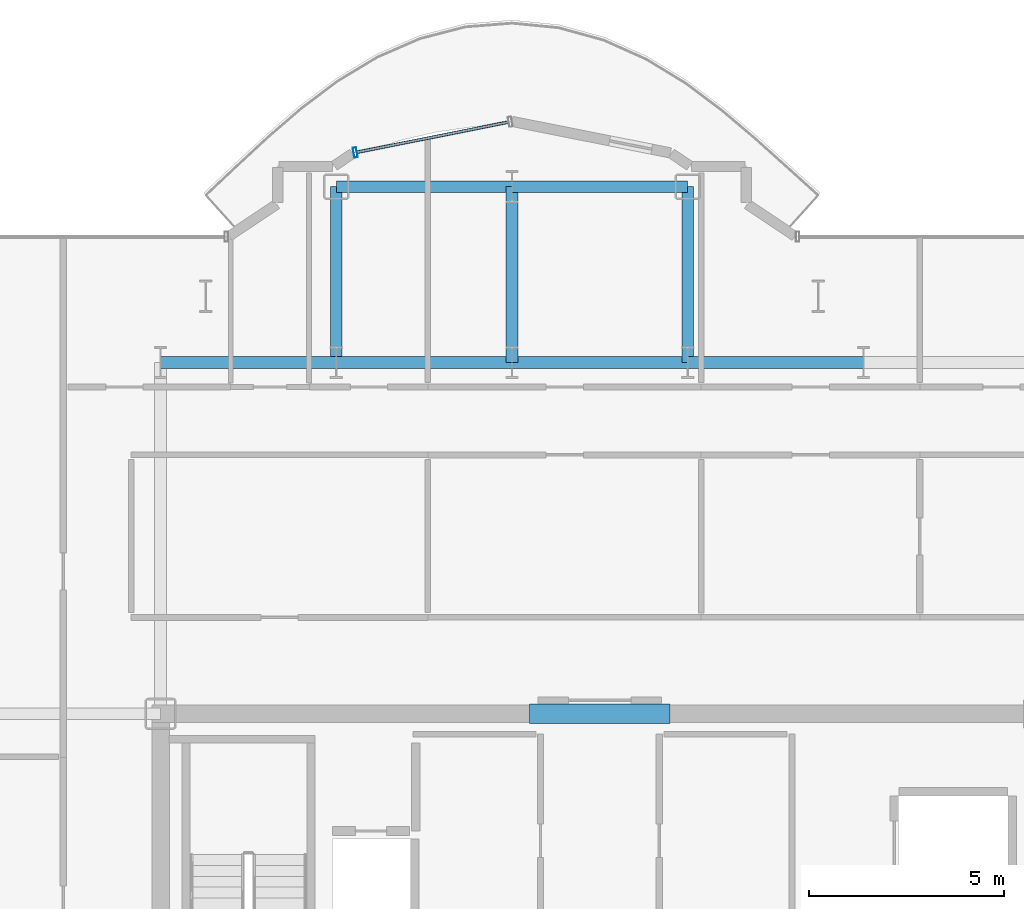
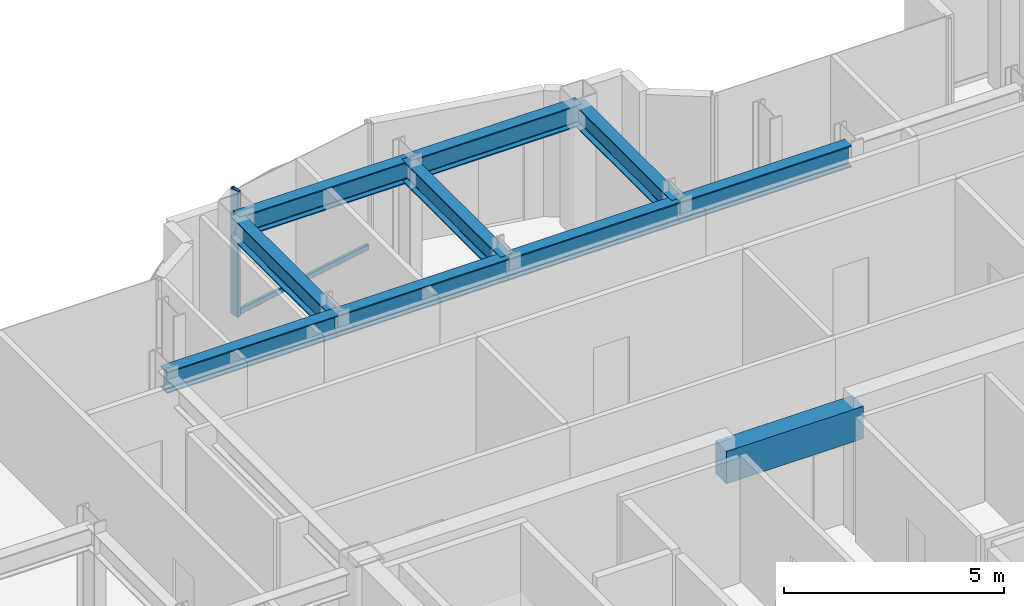
# One storey, part 9 of 21: 10 beams, 2 members, 1 element without a shape of its own.
"""IFC4 building model written with IfcOpenShell, lengths in metres."""

import ifcopenshell
import ifcopenshell.guid

model = None  # the IFC model being written
_history = None  # IfcOwnerHistory: only IFC2X3 demands one
_inside = {}  # id of a spatial element -> (the spatial element, [elements in it])
_under = {}  # id of a project, library or spatial element -> (it, [spatial elements below it])
_declared = {}  # id of a project -> (the project, [libraries it declares])
_typed = {}  # id of a type object -> (the type object, [elements of that type])
_made_of = {}  # id of a material, layer set ... -> (it, [elements and type objects made of it])


def new_model(schema):
    """Start an empty IFC model of exactly this schema.

    Asked for "IFC4X3", IfcOpenShell would pick the latest addendum, in which some entities
    have other attributes; the version numbers below select the first issue.
    IFC2X3 requires an IfcOwnerHistory on every rooted entity: one is made here for all.
    """
    global model, _history
    if schema == "IFC4X3":
        model = ifcopenshell.file(schema_version=(4, 3, 0, 0))
    else:
        model = ifcopenshell.file(schema=schema)
    _inside.clear()
    _under.clear()
    _declared.clear()
    _typed.clear()
    _made_of.clear()
    _history = None
    if model.schema == "IFC2X3":
        org = make("IfcOrganization", Name="unknown")
        user = make(
            "IfcPersonAndOrganization",
            ThePerson=make("IfcPerson", FamilyName="unknown"),
            TheOrganization=org,
        )
        app = make(
            "IfcApplication",
            ApplicationDeveloper=org,
            Version="unknown",
            ApplicationFullName="unknown",
            ApplicationIdentifier="unknown",
        )
        _history = make(
            "IfcOwnerHistory",
            OwningUser=user,
            OwningApplication=app,
            ChangeAction="ADDED",
            CreationDate=0,
        )
    return model


def make(cls, **values):
    """One entity of the class cls with the attributes given. An attribute that is None is left unset."""
    return model.create_entity(
        cls, **{name: value for name, value in values.items() if value is not None}
    )


def rooted(cls, **values):
    """An entity with a GlobalId (a new one), such as an element, a storey or a relation."""
    return make(cls, GlobalId=ifcopenshell.guid.new(), OwnerHistory=_history, **values)


def si_unit(unit_type, name, prefix=None):
    """IfcSIUnit, for example si_unit("LENGTHUNIT", "METRE", prefix="MILLI")."""
    return make("IfcSIUnit", UnitType=unit_type, Prefix=prefix, Name=name)


def assignment(units):
    """IfcUnitAssignment: the units of a project."""
    return None if units is None else make("IfcUnitAssignment", Units=units)


def point(xyz):
    """IfcCartesianPoint."""
    return None if xyz is None else make("IfcCartesianPoint", Coordinates=xyz)


def direction(xyz):
    """IfcDirection."""
    return None if xyz is None else make("IfcDirection", DirectionRatios=xyz)


def frame(location, z_axis=None, x_axis=None):
    """IfcAxis2Placement3D, a coordinate frame: its origin and axes. An axis left out is left unset."""
    return make(
        "IfcAxis2Placement3D",
        Location=point(location),
        Axis=direction(z_axis),
        RefDirection=direction(x_axis),
    )


def frame_2d(location, x_axis=None):
    """IfcAxis2Placement2D, a coordinate frame in the plane: its origin and x axis."""
    return make(
        "IfcAxis2Placement2D", Location=point(location), RefDirection=direction(x_axis)
    )


def origin():
    """The frame at (0, 0, 0) with its axes left unset."""
    return frame((0.0, 0.0, 0.0))


def origin_2d():
    """The frame at (0, 0) in the plane with its x axis left unset."""
    return frame_2d((0.0, 0.0))


def place(relative_to, where):
    """IfcLocalPlacement: puts the frame where relative to a parent placement (None: the world)."""
    return make(
        "IfcLocalPlacement", PlacementRelTo=relative_to, RelativePlacement=where
    )


def context(
    kind, dimensions, precision=None, world=None, true_north=None, identifier=None
):
    """IfcGeometricRepresentationContext, for example the 3D "Model" context."""
    return make(
        "IfcGeometricRepresentationContext",
        ContextIdentifier=identifier,
        ContextType=kind,
        CoordinateSpaceDimension=dimensions,
        Precision=precision,
        WorldCoordinateSystem=world,
        TrueNorth=true_north,
    )


def subcontext(parent, identifier, kind, view, scale=None):
    """IfcGeometricRepresentationSubContext, for example "Body" below "Model"."""
    return make(
        "IfcGeometricRepresentationSubContext",
        ContextIdentifier=identifier,
        ContextType=kind,
        ParentContext=parent,
        TargetScale=scale,
        TargetView=view,
    )


def project(units=None, contexts=None):
    """IfcProject with its units and contexts."""
    return rooted(
        "IfcProject",
        Name="project",
        RepresentationContexts=contexts,
        UnitsInContext=assignment(units),
    )


def spatial(cls, under=None, at=None, **own):
    """A site, building, storey or space (cls), placed at a placement, below another one or the project."""
    s = rooted(cls, ObjectPlacement=at, **own)
    if under is not None:
        _under.setdefault(under.id(), (under, []))[1].append(s)
    return s


def profile(cls, at=None, kind="AREA", **sizes):
    """A parametric profile (cls). Its sizes go by their IFC names, for example OverallWidth=200.0."""
    return make(cls, ProfileType=kind, Position=at, **sizes)


def rectangle(**sizes):
    """IfcRectangleProfileDef."""
    return profile("IfcRectangleProfileDef", **sizes)


def hollow_rectangle(**sizes):
    """IfcRectangleHollowProfileDef."""
    return profile("IfcRectangleHollowProfileDef", **sizes)


def i_section(**sizes):
    """IfcIShapeProfileDef."""
    return profile("IfcIShapeProfileDef", **sizes)


def extrude(swept, where, along, depth):
    """IfcExtrudedAreaSolid: the profile swept, set in the frame where, extruded along a direction by depth."""
    return make(
        "IfcExtrudedAreaSolid",
        SweptArea=swept,
        Position=where,
        ExtrudedDirection=direction(along),
        Depth=depth,
    )


def shape(context_of_items, identifier, shape_type, items):
    """IfcShapeRepresentation: the items that make up one representation, for example the "Body"."""
    return make(
        "IfcShapeRepresentation",
        ContextOfItems=context_of_items,
        RepresentationIdentifier=identifier,
        RepresentationType=shape_type,
        Items=items,
    )


def source(mapping_origin, context_of_items, identifier, shape_type, items):
    """IfcRepresentationMap: a shape defined once, which mapped items show again and again."""
    return make(
        "IfcRepresentationMap",
        MappingOrigin=mapping_origin,
        MappedRepresentation=shape(context_of_items, identifier, shape_type, items),
    )


def transform(
    local_origin,
    x_axis=None,
    y_axis=None,
    z_axis=None,
    scale=None,
    scale2=None,
    scale3=None,
    uniform=True,
):
    """IfcCartesianTransformationOperator3D, or its non-uniform kind. x_axis, y_axis, z_axis: its Axis1, 2, 3."""
    if uniform:
        return make(
            "IfcCartesianTransformationOperator3D",
            Axis1=direction(x_axis),
            Axis2=direction(y_axis),
            LocalOrigin=point(local_origin),
            Scale=scale,
            Axis3=direction(z_axis),
        )
    return make(
        "IfcCartesianTransformationOperator3DnonUniform",
        Axis1=direction(x_axis),
        Axis2=direction(y_axis),
        LocalOrigin=point(local_origin),
        Scale=scale,
        Axis3=direction(z_axis),
        Scale2=scale2,
        Scale3=scale3,
    )


def mapped(mapping_source, mapping_target):
    """IfcMappedItem: shows the shape of a source again, moved by a transform."""
    return make(
        "IfcMappedItem", MappingSource=mapping_source, MappingTarget=mapping_target
    )


def material(Name=None, Category=None):
    """IfcMaterial."""
    return make("IfcMaterial", Name=Name, Category=Category)


def layer(
    of_material, thickness, ventilated=None, Name=None, Category=None, Priority=None
):
    """IfcMaterialLayer: one layer of a wall or slab, of a material (None: an air gap)."""
    return make(
        "IfcMaterialLayer",
        Material=of_material,
        LayerThickness=thickness,
        IsVentilated=ventilated,
        Name=Name,
        Category=Category,
        Priority=Priority,
    )


def layer_set(layers, Name=None):
    """IfcMaterialLayerSet."""
    return make("IfcMaterialLayerSet", MaterialLayers=layers, LayerSetName=Name)


def material_profile(
    of_material, cross_section, Name=None, Category=None, Priority=None
):
    """IfcMaterialProfile: a cross section and its material."""
    return make(
        "IfcMaterialProfile",
        Name=Name,
        Material=of_material,
        Profile=cross_section,
        Priority=Priority,
        Category=Category,
    )


def profile_set(profiles, Name=None, composite=None):
    """IfcMaterialProfileSet."""
    return make(
        "IfcMaterialProfileSet",
        Name=Name,
        MaterialProfiles=profiles,
        CompositeProfile=composite,
    )


def made_of(thing, what):
    """Note that an element or type object is made of a material, layer set ...; save() writes the relation."""
    if what is not None:
        _made_of.setdefault(what.id(), (what, []))[1].append(thing)
    return thing


def type_object(cls, material=None, **own):
    """A type object (cls), such as IfcWallType, which elements share."""
    return made_of(rooted(cls, **own), material)


def element(
    cls,
    number,
    at=None,
    inside=None,
    cuts=None,
    type_object=None,
    material=None,
    context=None,
    identifier="Body",
    shape_type=None,
    held_by="IfcProductDefinitionShape",
    body=None,
    shapes=None,
    **own,
):
    """One element of the class cls, such as IfcWall. Its Tag is "e" and its number.

    at: its placement. inside: the storey or other place that contains it. cuts: it is an
    opening in that element (IfcRelVoidsElement). A single representation is given by context,
    identifier, shape_type and body (its items); several are given by shapes. held_by: the class
    of the entity that holds the representations. save() writes the other relations.
    """
    e = rooted(cls, Tag="e%d" % number, ObjectPlacement=at, **own)
    if body is not None:
        shapes = [shape(context, identifier, shape_type, body)]
    if shapes is not None:
        e.Representation = make(held_by, Representations=shapes)
    if inside is not None:
        _inside.setdefault(inside.id(), (inside, []))[1].append(e)
    if cuts is not None:
        rooted(
            "IfcRelVoidsElement", RelatingBuildingElement=cuts, RelatedOpeningElement=e
        )
    if type_object is not None:
        _typed.setdefault(type_object.id(), (type_object, []))[1].append(e)
    return made_of(e, material)


def aggregate(whole, parts):
    """IfcRelAggregates: a whole, such as a stair, and the parts it consists of."""
    return rooted("IfcRelAggregates", RelatingObject=whole, RelatedObjects=parts)


def save(model, path):
    """Write the relations noted so far, then the file.

    IfcRelAggregates (storeys below a building ...), IfcRelContainedInSpatialStructure (elements
    in a storey), IfcRelDefinesByType, IfcRelAssociatesMaterial and IfcRelDeclares: one each for
    every whole, place, type object, material and project.
    """
    for whole, parts in _under.values():
        aggregate(whole, parts)
    for where, things in _inside.values():
        rooted(
            "IfcRelContainedInSpatialStructure",
            RelatedElements=things,
            RelatingStructure=where,
        )
    for kind, things in _typed.values():
        rooted("IfcRelDefinesByType", RelatedObjects=things, RelatingType=kind)
    for what, things in _made_of.values():
        rooted("IfcRelAssociatesMaterial", RelatedObjects=things, RelatingMaterial=what)
    for by, libraries in _declared.values():
        rooted("IfcRelDeclares", RelatingContext=by, RelatedDefinitions=libraries)
    model.write(path)


model = new_model("IFC4")

# Units and contexts
model_context = context("Model", 3, precision=1e-05, world=origin(), true_north=direction((0.0, 1.0)))
body_context = subcontext(model_context, "Body", "Model", "MODEL_VIEW")
ifc_project = project(units=[si_unit("LENGTHUNIT", "METRE"), si_unit("AREAUNIT", "SQUARE_METRE"), si_unit("VOLUMEUNIT", "CUBIC_METRE"), si_unit("PLANEANGLEUNIT", "RADIAN"), si_unit("MASSUNIT", "GRAM", prefix="KILO")], contexts=[model_context])

# Site, building, storey
site_placement = place(None, origin())
site = spatial("IfcSite", under=ifc_project, at=site_placement, CompositionType="ELEMENT")
building_placement = place(site_placement, origin())
building = spatial("IfcBuilding", under=site, at=building_placement, Name="Nefas-Gora Pilgrimage Tower", CompositionType="ELEMENT")
storey_placement = place(building_placement, frame((0.0, 0.0, 256.0)))
storey = spatial("IfcBuildingStorey", under=building, at=storey_placement, Name="L64", CompositionType="ELEMENT", Elevation=256.0)

# Beams
ifc_material_1 = material(Name="Concrete C50/60", Category="concrete")
ifc_material_profile_1 = material_profile(ifc_material_1, rectangle(XDim=0.5, YDim=0.89990234375, at=origin_2d()), Name="RC 500x900")
ifc_profile_set_1 = profile_set([ifc_material_profile_1], Name="Concrete C50/60")
beam_type_1 = type_object("IfcBeamType", Name="BM-LIN-RC900", PredefinedType="LINTEL", material=ifc_profile_set_1)
shared_shape_1 = source(origin(), body_context, "Body", "SweptSolid", [
    extrude(rectangle(XDim=0.5, YDim=0.89990234375, at=origin_2d()), origin(), (0.0, 0.0, 1.0), 3.60009765625),
])
beam_placement = place(storey_placement, frame((-1.800048828125, 9.0, 3.050048828125), z_axis=(1.0, 0.0, 0.0), x_axis=(0.0, 1.0, 0.0)))
element("IfcBeam", 1, at=beam_placement, inside=storey, type_object=beam_type_1, Name="L64 Core Coupling Lintel Beam N", PredefinedType="LINTEL", context=body_context, shape_type="MappedRepresentation", body=[
    mapped(shared_shape_1, transform((0.0, 0.0, 0.0), x_axis=(1.0, 0.0, 0.0), y_axis=(0.0, 1.0, 0.0), z_axis=(0.0, 0.0, 1.0), scale=1.0)),
])
ifc_material_2 = material(Name="Steel S355", Category="steel")
ifc_material_profile_2 = material_profile(ifc_material_2, i_section(OverallWidth=0.300048828125, OverallDepth=0.60009765625, WebThickness=0.015380859375, FlangeThickness=0.030029296875, FilletRadius=0.027099609375, at=origin_2d()), Name="HEB 600")
ifc_profile_set_2 = profile_set([ifc_material_profile_2], Name="Steel S355")
beam_type_2 = type_object("IfcBeamType", Name="BM-GIR-HEB600", PredefinedType="BEAM", material=ifc_profile_set_2)
shared_shape_2 = source(origin(), body_context, "Body", "SweptSolid", [
    extrude(i_section(OverallWidth=0.300048828125, OverallDepth=0.60009765625, WebThickness=0.015380859375, FlangeThickness=0.030029296875, FilletRadius=0.027099609375, at=origin_2d()), origin(), (0.0, 0.0, 1.0), 4.5),
])
for number, where, z_axis, x_axis, name in (
    (2, (-11.25, 18.0, 3.199951171875), (1.0, 0.0, 0.0), (0.0, 1.0, 0.0), "L64 G-04 beam"),
    (3, (-6.75, 18.0, 3.199951171875), (0.0, 1.0, 0.0), (-1.0, 0.0, 0.0), "L64 G-04 beam"),
    (4, (-6.75, 18.0, 3.199951171875), (1.0, 0.0, 0.0), (0.0, 1.0, 0.0), "L64 G-04 beam"),
    (5, (-6.75, 22.5, 3.199951171875), (1.0, 0.0, 0.0), (0.0, 1.0, 0.0), "L64 G-04 beam"),
    (6, (-2.25, 18.0, 3.199951171875), (0.0, 1.0, 0.0), (-1.0, 0.0, 0.0), "L64 G-04 beam"),
    (7, (-2.25, 18.0, 3.199951171875), (1.0, 0.0, 0.0), (0.0, 1.0, 0.0), "L64 G-04 beam"),
    (8, (-2.25, 22.5, 3.199951171875), (1.0, 0.0, 0.0), (0.0, 1.0, 0.0), "L64 G-04 beam"),
    (9, (2.25, 18.0, 3.199951171875), (0.0, 1.0, 0.0), (-1.0, 0.0, 0.0), "L64 G-04 beam"),
    (10, (2.25, 18.0, 3.199951171875), (1.0, 0.0, 0.0), (0.0, 1.0, 0.0), "L64 G-04 beam"),
):
    element("IfcBeam", number, at=place(storey_placement, frame(where, z_axis=z_axis, x_axis=x_axis)), inside=storey, type_object=beam_type_2, Name=name, PredefinedType="BEAM", context=body_context, shape_type="MappedRepresentation", body=[
        mapped(shared_shape_2, transform((0.0, 0.0, 0.0), x_axis=(1.0, 0.0, 0.0), y_axis=(0.0, 1.0, 0.0), z_axis=(0.0, 0.0, 1.0), scale=1.0)),
    ])

# Curtain wall, members
ifc_material_3 = material(Name="Dark ceramic-fritted solar-control aluminium-glass curtain wall", Category="aluminium")
ifc_layer = layer(ifc_material_3, 0.219970703125)
ifc_layer_set = layer_set([ifc_layer], Name="Dark ceramic-fritted solar-control aluminium-glass curtain wall")
curtain_wall_type = type_object("IfcCurtainWallType", Name="CW-SYS-5", PredefinedType="NOTDEFINED", material=ifc_layer_set)
curtain_wall_placement = place(storey_placement, origin())
curtain_wall = element("IfcCurtainWall", 11, at=curtain_wall_placement, inside=storey, type_object=curtain_wall_type, Name="L64 Unitised Curtain Wall CW5", PredefinedType="NOTDEFINED")
ifc_material_4 = material(Name="Anodised architectural aluminium", Category="aluminium")
ifc_material_profile_3 = material_profile(ifc_material_4, hollow_rectangle(XDim=0.080078125, YDim=0.159912109375, WallThickness=0.00439453125, InnerFilletRadius=0.00439453125, OuterFilletRadius=0.009033203125, at=origin_2d()), Name="ALU TRANSOM 80x160")
ifc_profile_set_3 = profile_set([ifc_material_profile_3], Name="Anodised architectural aluminium")
member_type_1 = type_object("IfcMemberType", Name="CWM-TRN-5", PredefinedType="USERDEFINED", material=ifc_profile_set_3)
shared_shape_3 = source(origin(), body_context, "Body", "SweptSolid", [
    extrude(hollow_rectangle(XDim=0.080078125, YDim=0.159912109375, WallThickness=0.00439453125, InnerFilletRadius=0.00439453125, OuterFilletRadius=0.009033203125, at=origin_2d()), origin(), (0.0, 0.0, 1.0), 3.95654296875),
])
member_1_placement = place(storey_placement, frame((-2.33837890625, 24.15478515625, 0.050048828125), z_axis=(-0.980781880918, -0.195107411605, 0.0), x_axis=(0.195107411605, -0.980781880918, 0.0)))
member_1 = element("IfcMember", 12, at=member_1_placement, type_object=member_type_1, Name="CW5 Spandrel Transom", ObjectType="TRANSOM", PredefinedType="USERDEFINED", context=body_context, shape_type="MappedRepresentation", body=[
    mapped(shared_shape_3, transform((0.0, 0.0, 0.0), x_axis=(1.0, 0.0, 0.0), y_axis=(0.0, 1.0, 0.0), z_axis=(0.0, 0.0, 1.0), scale=1.0)),
])
ifc_material_profile_4 = material_profile(ifc_material_4, hollow_rectangle(XDim=0.090087890625, YDim=0.260009765625, WallThickness=0.006103515625, InnerFilletRadius=0.006103515625, OuterFilletRadius=0.011962890625, at=origin_2d()), Name="ALU MULLION 90x260")
ifc_profile_set_4 = profile_set([ifc_material_profile_4], Name="Anodised architectural aluminium")
member_type_2 = type_object("IfcMemberType", Name="CWM-MUL-5", PredefinedType="MULLION", material=ifc_profile_set_4)
shared_shape_4 = source(origin(), body_context, "Body", "SweptSolid", [
    extrude(hollow_rectangle(XDim=0.090087890625, YDim=0.260009765625, WallThickness=0.006103515625, InnerFilletRadius=0.006103515625, OuterFilletRadius=0.011962890625, at=origin_2d()), origin(), (0.0, 0.0, 1.0), 3.5),
])
member_2_placement = place(storey_placement, frame((-6.26318359375, 23.3740234375, 0.0), z_axis=(0.0, 0.0, 1.0), x_axis=(-0.980782896852, -0.195102304554, 0.0)))
member_2 = element("IfcMember", 13, at=member_2_placement, type_object=member_type_2, Name="CW5 Mullion 2", PredefinedType="MULLION", context=body_context, shape_type="MappedRepresentation", body=[
    mapped(shared_shape_4, transform((0.0, 0.0, 0.0), x_axis=(1.0, 0.0, 0.0), y_axis=(0.0, 1.0, 0.0), z_axis=(0.0, 0.0, 1.0), scale=1.0)),
])
aggregate(curtain_wall, [member_2, member_1])

save(model, "model.ifc")
